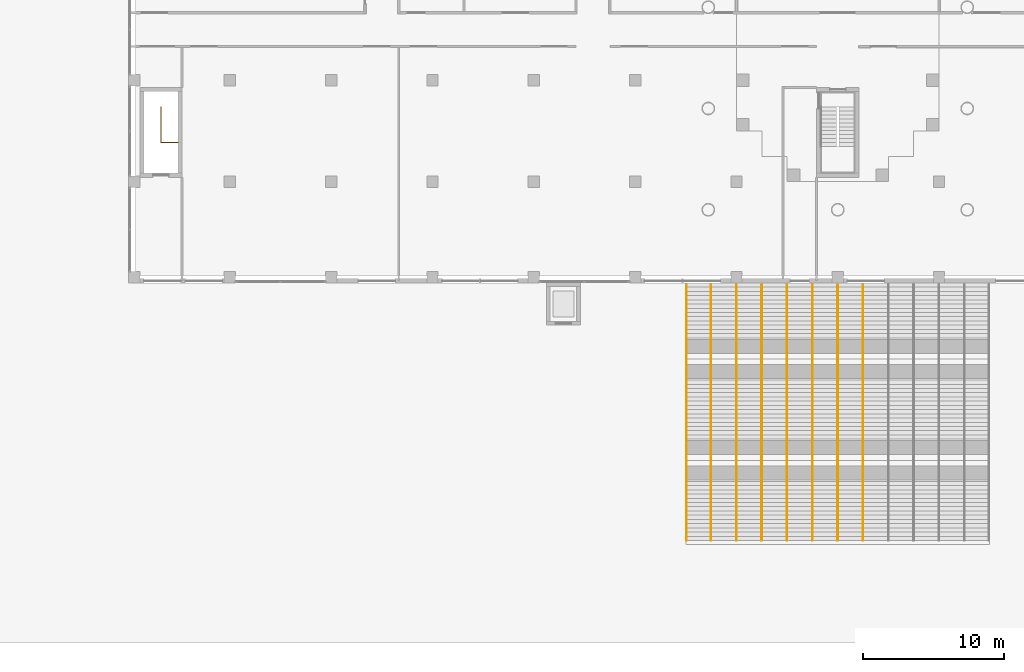
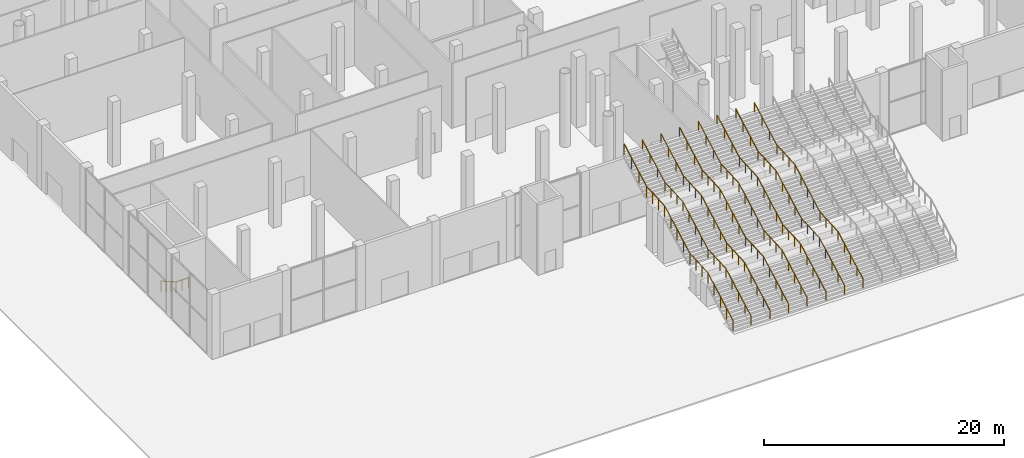
# One storey, part 35 of 44: 9 railings.
"""IFC4 building model written with IfcOpenShell, lengths in metres."""

from ifc_helpers import new_model, si_unit, direction, frame, origin, origin_2d, place, context, subcontext, project, spatial, circle, extrude, material, type_object, element, save


model = new_model("IFC4")

# Units and contexts
model_context = context("Model", 3, precision=1e-05, world=origin(), true_north=direction((0.0, 1.0)))
body_context = subcontext(model_context, "Body", "Model", "MODEL_VIEW")
ifc_project = project(units=[si_unit("LENGTHUNIT", "METRE"), si_unit("AREAUNIT", "SQUARE_METRE"), si_unit("VOLUMEUNIT", "CUBIC_METRE"), si_unit("PLANEANGLEUNIT", "RADIAN"), si_unit("MASSUNIT", "GRAM", prefix="KILO")], contexts=[model_context])

# Site, building, storey
site_placement = place(None, origin())
site = spatial("IfcSite", under=ifc_project, at=site_placement, CompositionType="ELEMENT")
building_placement = place(site_placement, origin())
building = spatial("IfcBuilding", under=site, at=building_placement, Name="Fustian Cross Tower", CompositionType="ELEMENT")
storey_placement = place(building_placement, origin())
storey = spatial("IfcBuildingStorey", under=building, at=storey_placement, Name="L00", CompositionType="ELEMENT", Elevation=0.0)

# Railings
ifc_material_1 = material(Name="Stainless steel", Category="steel")
railing_type_1 = type_object("IfcRailingType", Name="STAIR GUARD", PredefinedType="GUARDRAIL", material=ifc_material_1)
railing_1_placement = place(storey_placement, frame((-48.10009765625, -37.89990234375, -1.43994140625)))
element("IfcRailing", 1, at=railing_1_placement, inside=storey, type_object=railing_type_1, Name="Stair ST13 guard", PredefinedType="GUARDRAIL", context=body_context, shape_type="SweptSolid", body=[
    extrude(circle(Radius=0.02490234375, at=origin_2d()), frame((0.0, 0.0, 1.0751953125), z_axis=(0.0, -0.868253494771, 0.496120820787), x_axis=(1.0, 0.0, 0.0)), (0.0, 0.0, 1.0), 2.90234375),
    extrude(circle(Radius=0.02490234375, at=origin_2d()), frame((0.0, -2.52001953125, 2.51513671875), z_axis=(1.0, 0.0, 0.0), x_axis=(0.0, 1.0, 0.0)), (0.0, 0.0, 1.0), 1.2001953125),
    extrude(circle(Radius=0.02001953125, at=origin_2d()), origin(), (0.0, 0.0, 1.0), 1.050048828125),
    extrude(circle(Radius=0.02001953125, at=origin_2d()), frame((0.0, -0.840087890625, 0.47998046875)), (0.0, 0.0, 1.0), 1.050048828125),
    extrude(circle(Radius=0.02001953125, at=origin_2d()), frame((0.0, -1.679931640625, 0.9599609375)), (0.0, 0.0, 1.0), 1.050048828125),
    extrude(circle(Radius=0.02001953125, at=origin_2d()), frame((0.0, -2.52001953125, 1.43994140625)), (0.0, 0.0, 1.0), 1.050048828125),
    extrude(circle(Radius=0.02001953125, at=origin_2d()), frame((0.60009765625, -2.52001953125, 1.43994140625)), (0.0, 0.0, 1.0), 1.050048828125),
    extrude(circle(Radius=0.02001953125, at=origin_2d()), frame((1.2001953125, -2.52001953125, 1.43994140625)), (0.0, 0.0, 1.0), 1.050048828125),
])
ifc_material_2 = material(Name="Steel S355", Category="steel")
railing_type_2 = type_object("IfcRailingType", Name="STEEL GUARD 1100", PredefinedType="GUARDRAIL", material=ifc_material_2)
railing_2_placement = place(storey_placement, frame((-10.75, -68.699951171875, 0.16357421875)))
element("IfcRailing", 2, at=railing_2_placement, inside=storey, type_object=railing_type_2, Name="Stair guard G1", PredefinedType="GUARDRAIL", context=body_context, shape_type="SweptSolid", body=[
    extrude(circle(Radius=0.02392578125, at=origin_2d()), frame((0.0, 0.0, 1.076171875), z_axis=(0.0, 0.877883871309, 0.478873583001), x_axis=(-1.0, 0.0, 0.0)), (0.0, 0.0, 1.0), 4.7841796875),
    extrude(circle(Radius=0.02392578125, at=origin_2d()), frame((0.0, 4.199951171875, 3.3671875), z_axis=(0.0, 0.998516832602, 0.054443870267), x_axis=(-1.0, 0.0, 0.0)), (0.0, 0.0, 1.0), 3.00439453125),
    extrude(circle(Radius=0.02392578125, at=origin_2d()), frame((0.0, 7.199951171875, 3.53076171875), z_axis=(0.0, 0.877883871309, 0.478873583001), x_axis=(-1.0, 0.0, 0.0)), (0.0, 0.0, 1.0), 4.7841796875),
    extrude(circle(Radius=0.02392578125, at=origin_2d()), frame((0.0, 11.39990234375, 5.82177734375), z_axis=(0.0, 0.998516832602, 0.054443870267), x_axis=(-1.0, 0.0, 0.0)), (0.0, 0.0, 1.0), 3.00439453125),
    extrude(circle(Radius=0.02392578125, at=origin_2d()), frame((0.0, 14.39990234375, 5.9853515625), z_axis=(0.0, 0.877899941409, 0.478844121688), x_axis=(-1.0, 0.0, 0.0)), (0.0, 0.0, 1.0), 4.271484375),
    extrude(circle(Radius=0.02099609375, at=origin_2d()), origin(), (0.0, 0.0, 1.0), 1.052001953125),
    extrude(circle(Radius=0.02099609375, at=origin_2d()), frame((0.0, 1.050048828125, 0.57275390625)), (0.0, 0.0, 1.0), 1.052001953125),
    extrude(circle(Radius=0.02099609375, at=origin_2d()), frame((0.0, 2.10009765625, 1.1455078125)), (0.0, 0.0, 1.0), 1.052001953125),
    extrude(circle(Radius=0.02099609375, at=origin_2d()), frame((0.0, 3.14990234375, 1.71826171875)), (0.0, 0.0, 1.0), 1.052001953125),
    extrude(circle(Radius=0.02099609375, at=origin_2d()), frame((0.0, 4.199951171875, 2.291015625)), (0.0, 0.0, 1.0), 1.052001953125),
    extrude(circle(Radius=0.02099609375, at=origin_2d()), frame((0.0, 5.199951171875, 2.345458984375)), (0.0, 0.0, 1.0), 1.052001953125),
    extrude(circle(Radius=0.02099609375, at=origin_2d()), frame((0.0, 6.199951171875, 2.400146484375)), (0.0, 0.0, 1.0), 1.052001953125),
    extrude(circle(Radius=0.02099609375, at=origin_2d()), frame((0.0, 7.199951171875, 2.45458984375)), (0.0, 0.0, 1.0), 1.052001953125),
    extrude(circle(Radius=0.02099609375, at=origin_2d()), frame((0.0, 8.25, 3.02734375)), (0.0, 0.0, 1.0), 1.052001953125),
    extrude(circle(Radius=0.02099609375, at=origin_2d()), frame((0.0, 9.2998046875, 3.60009765625)), (0.0, 0.0, 1.0), 1.052001953125),
    extrude(circle(Radius=0.02099609375, at=origin_2d()), frame((0.0, 10.349853515625, 4.1728515625)), (0.0, 0.0, 1.0), 1.052001953125),
    extrude(circle(Radius=0.02099609375, at=origin_2d()), frame((0.0, 11.39990234375, 4.74560546875)), (0.0, 0.0, 1.0), 1.052001953125),
    extrude(circle(Radius=0.02099609375, at=origin_2d()), frame((0.0, 12.39990234375, 4.800048828125)), (0.0, 0.0, 1.0), 1.052001953125),
    extrude(circle(Radius=0.02099609375, at=origin_2d()), frame((0.0, 13.39990234375, 4.854736328125)), (0.0, 0.0, 1.0), 1.052001953125),
    extrude(circle(Radius=0.02099609375, at=origin_2d()), frame((0.0, 14.39990234375, 4.9091796875)), (0.0, 0.0, 1.0), 1.052001953125),
    extrude(circle(Radius=0.02099609375, at=origin_2d()), frame((0.0, 15.64990234375, 5.591064453125)), (0.0, 0.0, 1.0), 1.052001953125),
    extrude(circle(Radius=0.02099609375, at=origin_2d()), frame((0.0, 16.89990234375, 6.272705078125)), (0.0, 0.0, 1.0), 1.052001953125),
    extrude(circle(Radius=0.02099609375, at=origin_2d()), frame((0.0, 18.14990234375, 6.95458984375)), (0.0, 0.0, 1.0), 1.052001953125),
])
ifc_material_3 = material(Name="Steel S355", Category="steel")
railing_type_3 = type_object("IfcRailingType", Name="STEEL HANDRAIL 900", PredefinedType="HANDRAIL", material=ifc_material_3)
railing_3_placement = place(storey_placement, frame((-9.0, -68.699951171875, 0.16357421875)))
element("IfcRailing", 3, at=railing_3_placement, inside=storey, type_object=railing_type_3, Name="Stair handrail H1", PredefinedType="HANDRAIL", context=body_context, shape_type="SweptSolid", body=[
    extrude(circle(Radius=0.02392578125, at=origin_2d()), frame((0.0, 0.0, 0.8759765625), z_axis=(0.0, 0.877883871309, 0.478873583001), x_axis=(-1.0, 0.0, 0.0)), (0.0, 0.0, 1.0), 4.7841796875),
    extrude(circle(Radius=0.02392578125, at=origin_2d()), frame((0.0, 4.199951171875, 3.1669921875), z_axis=(0.0, 0.998516832602, 0.054443870267), x_axis=(-1.0, 0.0, 0.0)), (0.0, 0.0, 1.0), 3.00439453125),
    extrude(circle(Radius=0.02392578125, at=origin_2d()), frame((0.0, 7.199951171875, 3.33056640625), z_axis=(0.0, 0.877883871309, 0.478873583001), x_axis=(-1.0, 0.0, 0.0)), (0.0, 0.0, 1.0), 4.7841796875),
    extrude(circle(Radius=0.02392578125, at=origin_2d()), frame((0.0, 11.39990234375, 5.62158203125), z_axis=(0.0, 0.998516832602, 0.054443870267), x_axis=(-1.0, 0.0, 0.0)), (0.0, 0.0, 1.0), 3.00439453125),
    extrude(circle(Radius=0.02392578125, at=origin_2d()), frame((0.0, 14.39990234375, 5.78515625), z_axis=(0.0, 0.877899941409, 0.478844121688), x_axis=(-1.0, 0.0, 0.0)), (0.0, 0.0, 1.0), 4.271484375),
    extrude(circle(Radius=0.02099609375, at=origin_2d()), origin(), (0.0, 0.0, 1.0), 0.851806640625),
    extrude(circle(Radius=0.02099609375, at=origin_2d()), frame((0.0, 1.050048828125, 0.57275390625)), (0.0, 0.0, 1.0), 0.851806640625),
    extrude(circle(Radius=0.02099609375, at=origin_2d()), frame((0.0, 2.10009765625, 1.1455078125)), (0.0, 0.0, 1.0), 0.851806640625),
    extrude(circle(Radius=0.02099609375, at=origin_2d()), frame((0.0, 3.14990234375, 1.71826171875)), (0.0, 0.0, 1.0), 0.851806640625),
    extrude(circle(Radius=0.02099609375, at=origin_2d()), frame((0.0, 4.199951171875, 2.291015625)), (0.0, 0.0, 1.0), 0.851806640625),
    extrude(circle(Radius=0.02099609375, at=origin_2d()), frame((0.0, 5.199951171875, 2.345458984375)), (0.0, 0.0, 1.0), 0.851806640625),
    extrude(circle(Radius=0.02099609375, at=origin_2d()), frame((0.0, 6.199951171875, 2.400146484375)), (0.0, 0.0, 1.0), 0.851806640625),
    extrude(circle(Radius=0.02099609375, at=origin_2d()), frame((0.0, 7.199951171875, 2.45458984375)), (0.0, 0.0, 1.0), 0.851806640625),
    extrude(circle(Radius=0.02099609375, at=origin_2d()), frame((0.0, 8.25, 3.02734375)), (0.0, 0.0, 1.0), 0.851806640625),
    extrude(circle(Radius=0.02099609375, at=origin_2d()), frame((0.0, 9.2998046875, 3.60009765625)), (0.0, 0.0, 1.0), 0.851806640625),
    extrude(circle(Radius=0.02099609375, at=origin_2d()), frame((0.0, 10.349853515625, 4.1728515625)), (0.0, 0.0, 1.0), 0.851806640625),
    extrude(circle(Radius=0.02099609375, at=origin_2d()), frame((0.0, 11.39990234375, 4.74560546875)), (0.0, 0.0, 1.0), 0.851806640625),
    extrude(circle(Radius=0.02099609375, at=origin_2d()), frame((0.0, 12.39990234375, 4.800048828125)), (0.0, 0.0, 1.0), 0.851806640625),
    extrude(circle(Radius=0.02099609375, at=origin_2d()), frame((0.0, 13.39990234375, 4.854736328125)), (0.0, 0.0, 1.0), 0.851806640625),
    extrude(circle(Radius=0.02099609375, at=origin_2d()), frame((0.0, 14.39990234375, 4.9091796875)), (0.0, 0.0, 1.0), 0.851806640625),
    extrude(circle(Radius=0.02099609375, at=origin_2d()), frame((0.0, 15.64990234375, 5.591064453125)), (0.0, 0.0, 1.0), 0.851806640625),
    extrude(circle(Radius=0.02099609375, at=origin_2d()), frame((0.0, 16.89990234375, 6.272705078125)), (0.0, 0.0, 1.0), 0.851806640625),
    extrude(circle(Radius=0.02099609375, at=origin_2d()), frame((0.0, 18.14990234375, 6.95458984375)), (0.0, 0.0, 1.0), 0.851806640625),
])
railing_4_placement = place(storey_placement, frame((-7.199951171875, -68.699951171875, 0.16357421875)))
element("IfcRailing", 4, at=railing_4_placement, inside=storey, type_object=railing_type_3, Name="Stair handrail H2", PredefinedType="HANDRAIL", context=body_context, shape_type="SweptSolid", body=[
    extrude(circle(Radius=0.02392578125, at=origin_2d()), frame((0.0, 0.0, 0.8759765625), z_axis=(0.0, 0.877883871309, 0.478873583001), x_axis=(-1.0, 0.0, 0.0)), (0.0, 0.0, 1.0), 4.7841796875),
    extrude(circle(Radius=0.02392578125, at=origin_2d()), frame((0.0, 4.199951171875, 3.1669921875), z_axis=(0.0, 0.998516832602, 0.054443870267), x_axis=(-1.0, 0.0, 0.0)), (0.0, 0.0, 1.0), 3.00439453125),
    extrude(circle(Radius=0.02392578125, at=origin_2d()), frame((0.0, 7.199951171875, 3.33056640625), z_axis=(0.0, 0.877883871309, 0.478873583001), x_axis=(-1.0, 0.0, 0.0)), (0.0, 0.0, 1.0), 4.7841796875),
    extrude(circle(Radius=0.02392578125, at=origin_2d()), frame((0.0, 11.39990234375, 5.62158203125), z_axis=(0.0, 0.998516832602, 0.054443870267), x_axis=(-1.0, 0.0, 0.0)), (0.0, 0.0, 1.0), 3.00439453125),
    extrude(circle(Radius=0.02392578125, at=origin_2d()), frame((0.0, 14.39990234375, 5.78515625), z_axis=(0.0, 0.877899941409, 0.478844121688), x_axis=(-1.0, 0.0, 0.0)), (0.0, 0.0, 1.0), 4.271484375),
    extrude(circle(Radius=0.02099609375, at=origin_2d()), origin(), (0.0, 0.0, 1.0), 0.851806640625),
    extrude(circle(Radius=0.02099609375, at=origin_2d()), frame((0.0, 1.050048828125, 0.57275390625)), (0.0, 0.0, 1.0), 0.851806640625),
    extrude(circle(Radius=0.02099609375, at=origin_2d()), frame((0.0, 2.10009765625, 1.1455078125)), (0.0, 0.0, 1.0), 0.851806640625),
    extrude(circle(Radius=0.02099609375, at=origin_2d()), frame((0.0, 3.14990234375, 1.71826171875)), (0.0, 0.0, 1.0), 0.851806640625),
    extrude(circle(Radius=0.02099609375, at=origin_2d()), frame((0.0, 4.199951171875, 2.291015625)), (0.0, 0.0, 1.0), 0.851806640625),
    extrude(circle(Radius=0.02099609375, at=origin_2d()), frame((0.0, 5.199951171875, 2.345458984375)), (0.0, 0.0, 1.0), 0.851806640625),
    extrude(circle(Radius=0.02099609375, at=origin_2d()), frame((0.0, 6.199951171875, 2.400146484375)), (0.0, 0.0, 1.0), 0.851806640625),
    extrude(circle(Radius=0.02099609375, at=origin_2d()), frame((0.0, 7.199951171875, 2.45458984375)), (0.0, 0.0, 1.0), 0.851806640625),
    extrude(circle(Radius=0.02099609375, at=origin_2d()), frame((0.0, 8.25, 3.02734375)), (0.0, 0.0, 1.0), 0.851806640625),
    extrude(circle(Radius=0.02099609375, at=origin_2d()), frame((0.0, 9.2998046875, 3.60009765625)), (0.0, 0.0, 1.0), 0.851806640625),
    extrude(circle(Radius=0.02099609375, at=origin_2d()), frame((0.0, 10.349853515625, 4.1728515625)), (0.0, 0.0, 1.0), 0.851806640625),
    extrude(circle(Radius=0.02099609375, at=origin_2d()), frame((0.0, 11.39990234375, 4.74560546875)), (0.0, 0.0, 1.0), 0.851806640625),
    extrude(circle(Radius=0.02099609375, at=origin_2d()), frame((0.0, 12.39990234375, 4.800048828125)), (0.0, 0.0, 1.0), 0.851806640625),
    extrude(circle(Radius=0.02099609375, at=origin_2d()), frame((0.0, 13.39990234375, 4.854736328125)), (0.0, 0.0, 1.0), 0.851806640625),
    extrude(circle(Radius=0.02099609375, at=origin_2d()), frame((0.0, 14.39990234375, 4.9091796875)), (0.0, 0.0, 1.0), 0.851806640625),
    extrude(circle(Radius=0.02099609375, at=origin_2d()), frame((0.0, 15.64990234375, 5.591064453125)), (0.0, 0.0, 1.0), 0.851806640625),
    extrude(circle(Radius=0.02099609375, at=origin_2d()), frame((0.0, 16.89990234375, 6.272705078125)), (0.0, 0.0, 1.0), 0.851806640625),
    extrude(circle(Radius=0.02099609375, at=origin_2d()), frame((0.0, 18.14990234375, 6.95458984375)), (0.0, 0.0, 1.0), 0.851806640625),
])
railing_5_placement = place(storey_placement, frame((-5.39990234375, -68.699951171875, 0.16357421875)))
element("IfcRailing", 5, at=railing_5_placement, inside=storey, type_object=railing_type_3, Name="Stair handrail H3", PredefinedType="HANDRAIL", context=body_context, shape_type="SweptSolid", body=[
    extrude(circle(Radius=0.02392578125, at=origin_2d()), frame((0.0, 0.0, 0.8759765625), z_axis=(0.0, 0.877883871309, 0.478873583001), x_axis=(-1.0, 0.0, 0.0)), (0.0, 0.0, 1.0), 4.7841796875),
    extrude(circle(Radius=0.02392578125, at=origin_2d()), frame((0.0, 4.199951171875, 3.1669921875), z_axis=(0.0, 0.998516832602, 0.054443870267), x_axis=(-1.0, 0.0, 0.0)), (0.0, 0.0, 1.0), 3.00439453125),
    extrude(circle(Radius=0.02392578125, at=origin_2d()), frame((0.0, 7.199951171875, 3.33056640625), z_axis=(0.0, 0.877883871309, 0.478873583001), x_axis=(-1.0, 0.0, 0.0)), (0.0, 0.0, 1.0), 4.7841796875),
    extrude(circle(Radius=0.02392578125, at=origin_2d()), frame((0.0, 11.39990234375, 5.62158203125), z_axis=(0.0, 0.998516832602, 0.054443870267), x_axis=(-1.0, 0.0, 0.0)), (0.0, 0.0, 1.0), 3.00439453125),
    extrude(circle(Radius=0.02392578125, at=origin_2d()), frame((0.0, 14.39990234375, 5.78515625), z_axis=(0.0, 0.877899941409, 0.478844121688), x_axis=(-1.0, 0.0, 0.0)), (0.0, 0.0, 1.0), 4.271484375),
    extrude(circle(Radius=0.02099609375, at=origin_2d()), origin(), (0.0, 0.0, 1.0), 0.851806640625),
    extrude(circle(Radius=0.02099609375, at=origin_2d()), frame((0.0, 1.050048828125, 0.57275390625)), (0.0, 0.0, 1.0), 0.851806640625),
    extrude(circle(Radius=0.02099609375, at=origin_2d()), frame((0.0, 2.10009765625, 1.1455078125)), (0.0, 0.0, 1.0), 0.851806640625),
    extrude(circle(Radius=0.02099609375, at=origin_2d()), frame((0.0, 3.14990234375, 1.71826171875)), (0.0, 0.0, 1.0), 0.851806640625),
    extrude(circle(Radius=0.02099609375, at=origin_2d()), frame((0.0, 4.199951171875, 2.291015625)), (0.0, 0.0, 1.0), 0.851806640625),
    extrude(circle(Radius=0.02099609375, at=origin_2d()), frame((0.0, 5.199951171875, 2.345458984375)), (0.0, 0.0, 1.0), 0.851806640625),
    extrude(circle(Radius=0.02099609375, at=origin_2d()), frame((0.0, 6.199951171875, 2.400146484375)), (0.0, 0.0, 1.0), 0.851806640625),
    extrude(circle(Radius=0.02099609375, at=origin_2d()), frame((0.0, 7.199951171875, 2.45458984375)), (0.0, 0.0, 1.0), 0.851806640625),
    extrude(circle(Radius=0.02099609375, at=origin_2d()), frame((0.0, 8.25, 3.02734375)), (0.0, 0.0, 1.0), 0.851806640625),
    extrude(circle(Radius=0.02099609375, at=origin_2d()), frame((0.0, 9.2998046875, 3.60009765625)), (0.0, 0.0, 1.0), 0.851806640625),
    extrude(circle(Radius=0.02099609375, at=origin_2d()), frame((0.0, 10.349853515625, 4.1728515625)), (0.0, 0.0, 1.0), 0.851806640625),
    extrude(circle(Radius=0.02099609375, at=origin_2d()), frame((0.0, 11.39990234375, 4.74560546875)), (0.0, 0.0, 1.0), 0.851806640625),
    extrude(circle(Radius=0.02099609375, at=origin_2d()), frame((0.0, 12.39990234375, 4.800048828125)), (0.0, 0.0, 1.0), 0.851806640625),
    extrude(circle(Radius=0.02099609375, at=origin_2d()), frame((0.0, 13.39990234375, 4.854736328125)), (0.0, 0.0, 1.0), 0.851806640625),
    extrude(circle(Radius=0.02099609375, at=origin_2d()), frame((0.0, 14.39990234375, 4.9091796875)), (0.0, 0.0, 1.0), 0.851806640625),
    extrude(circle(Radius=0.02099609375, at=origin_2d()), frame((0.0, 15.64990234375, 5.591064453125)), (0.0, 0.0, 1.0), 0.851806640625),
    extrude(circle(Radius=0.02099609375, at=origin_2d()), frame((0.0, 16.89990234375, 6.272705078125)), (0.0, 0.0, 1.0), 0.851806640625),
    extrude(circle(Radius=0.02099609375, at=origin_2d()), frame((0.0, 18.14990234375, 6.95458984375)), (0.0, 0.0, 1.0), 0.851806640625),
])
railing_6_placement = place(storey_placement, frame((-3.60009765625, -68.699951171875, 0.16357421875)))
element("IfcRailing", 6, at=railing_6_placement, inside=storey, type_object=railing_type_3, Name="Stair handrail H4", PredefinedType="HANDRAIL", context=body_context, shape_type="SweptSolid", body=[
    extrude(circle(Radius=0.02392578125, at=origin_2d()), frame((0.0, 0.0, 0.8759765625), z_axis=(0.0, 0.877883871309, 0.478873583001), x_axis=(-1.0, 0.0, 0.0)), (0.0, 0.0, 1.0), 4.7841796875),
    extrude(circle(Radius=0.02392578125, at=origin_2d()), frame((0.0, 4.199951171875, 3.1669921875), z_axis=(0.0, 0.998516832602, 0.054443870267), x_axis=(-1.0, 0.0, 0.0)), (0.0, 0.0, 1.0), 3.00439453125),
    extrude(circle(Radius=0.02392578125, at=origin_2d()), frame((0.0, 7.199951171875, 3.33056640625), z_axis=(0.0, 0.877883871309, 0.478873583001), x_axis=(-1.0, 0.0, 0.0)), (0.0, 0.0, 1.0), 4.7841796875),
    extrude(circle(Radius=0.02392578125, at=origin_2d()), frame((0.0, 11.39990234375, 5.62158203125), z_axis=(0.0, 0.998516832602, 0.054443870267), x_axis=(-1.0, 0.0, 0.0)), (0.0, 0.0, 1.0), 3.00439453125),
    extrude(circle(Radius=0.02392578125, at=origin_2d()), frame((0.0, 14.39990234375, 5.78515625), z_axis=(0.0, 0.877899941409, 0.478844121688), x_axis=(-1.0, 0.0, 0.0)), (0.0, 0.0, 1.0), 4.271484375),
    extrude(circle(Radius=0.02099609375, at=origin_2d()), origin(), (0.0, 0.0, 1.0), 0.851806640625),
    extrude(circle(Radius=0.02099609375, at=origin_2d()), frame((0.0, 1.050048828125, 0.57275390625)), (0.0, 0.0, 1.0), 0.851806640625),
    extrude(circle(Radius=0.02099609375, at=origin_2d()), frame((0.0, 2.10009765625, 1.1455078125)), (0.0, 0.0, 1.0), 0.851806640625),
    extrude(circle(Radius=0.02099609375, at=origin_2d()), frame((0.0, 3.14990234375, 1.71826171875)), (0.0, 0.0, 1.0), 0.851806640625),
    extrude(circle(Radius=0.02099609375, at=origin_2d()), frame((0.0, 4.199951171875, 2.291015625)), (0.0, 0.0, 1.0), 0.851806640625),
    extrude(circle(Radius=0.02099609375, at=origin_2d()), frame((0.0, 5.199951171875, 2.345458984375)), (0.0, 0.0, 1.0), 0.851806640625),
    extrude(circle(Radius=0.02099609375, at=origin_2d()), frame((0.0, 6.199951171875, 2.400146484375)), (0.0, 0.0, 1.0), 0.851806640625),
    extrude(circle(Radius=0.02099609375, at=origin_2d()), frame((0.0, 7.199951171875, 2.45458984375)), (0.0, 0.0, 1.0), 0.851806640625),
    extrude(circle(Radius=0.02099609375, at=origin_2d()), frame((0.0, 8.25, 3.02734375)), (0.0, 0.0, 1.0), 0.851806640625),
    extrude(circle(Radius=0.02099609375, at=origin_2d()), frame((0.0, 9.2998046875, 3.60009765625)), (0.0, 0.0, 1.0), 0.851806640625),
    extrude(circle(Radius=0.02099609375, at=origin_2d()), frame((0.0, 10.349853515625, 4.1728515625)), (0.0, 0.0, 1.0), 0.851806640625),
    extrude(circle(Radius=0.02099609375, at=origin_2d()), frame((0.0, 11.39990234375, 4.74560546875)), (0.0, 0.0, 1.0), 0.851806640625),
    extrude(circle(Radius=0.02099609375, at=origin_2d()), frame((0.0, 12.39990234375, 4.800048828125)), (0.0, 0.0, 1.0), 0.851806640625),
    extrude(circle(Radius=0.02099609375, at=origin_2d()), frame((0.0, 13.39990234375, 4.854736328125)), (0.0, 0.0, 1.0), 0.851806640625),
    extrude(circle(Radius=0.02099609375, at=origin_2d()), frame((0.0, 14.39990234375, 4.9091796875)), (0.0, 0.0, 1.0), 0.851806640625),
    extrude(circle(Radius=0.02099609375, at=origin_2d()), frame((0.0, 15.64990234375, 5.591064453125)), (0.0, 0.0, 1.0), 0.851806640625),
    extrude(circle(Radius=0.02099609375, at=origin_2d()), frame((0.0, 16.89990234375, 6.272705078125)), (0.0, 0.0, 1.0), 0.851806640625),
    extrude(circle(Radius=0.02099609375, at=origin_2d()), frame((0.0, 18.14990234375, 6.95458984375)), (0.0, 0.0, 1.0), 0.851806640625),
])
railing_7_placement = place(storey_placement, frame((-1.800048828125, -68.699951171875, 0.16357421875)))
element("IfcRailing", 7, at=railing_7_placement, inside=storey, type_object=railing_type_3, Name="Stair handrail H5", PredefinedType="HANDRAIL", context=body_context, shape_type="SweptSolid", body=[
    extrude(circle(Radius=0.02392578125, at=origin_2d()), frame((0.0, 0.0, 0.8759765625), z_axis=(0.0, 0.877883871309, 0.478873583001), x_axis=(-1.0, 0.0, 0.0)), (0.0, 0.0, 1.0), 4.7841796875),
    extrude(circle(Radius=0.02392578125, at=origin_2d()), frame((0.0, 4.199951171875, 3.1669921875), z_axis=(0.0, 0.998516832602, 0.054443870267), x_axis=(-1.0, 0.0, 0.0)), (0.0, 0.0, 1.0), 3.00439453125),
    extrude(circle(Radius=0.02392578125, at=origin_2d()), frame((0.0, 7.199951171875, 3.33056640625), z_axis=(0.0, 0.877883871309, 0.478873583001), x_axis=(-1.0, 0.0, 0.0)), (0.0, 0.0, 1.0), 4.7841796875),
    extrude(circle(Radius=0.02392578125, at=origin_2d()), frame((0.0, 11.39990234375, 5.62158203125), z_axis=(0.0, 0.998516832602, 0.054443870267), x_axis=(-1.0, 0.0, 0.0)), (0.0, 0.0, 1.0), 3.00439453125),
    extrude(circle(Radius=0.02392578125, at=origin_2d()), frame((0.0, 14.39990234375, 5.78515625), z_axis=(0.0, 0.877899941409, 0.478844121688), x_axis=(-1.0, 0.0, 0.0)), (0.0, 0.0, 1.0), 4.271484375),
    extrude(circle(Radius=0.02099609375, at=origin_2d()), origin(), (0.0, 0.0, 1.0), 0.851806640625),
    extrude(circle(Radius=0.02099609375, at=origin_2d()), frame((0.0, 1.050048828125, 0.57275390625)), (0.0, 0.0, 1.0), 0.851806640625),
    extrude(circle(Radius=0.02099609375, at=origin_2d()), frame((0.0, 2.10009765625, 1.1455078125)), (0.0, 0.0, 1.0), 0.851806640625),
    extrude(circle(Radius=0.02099609375, at=origin_2d()), frame((0.0, 3.14990234375, 1.71826171875)), (0.0, 0.0, 1.0), 0.851806640625),
    extrude(circle(Radius=0.02099609375, at=origin_2d()), frame((0.0, 4.199951171875, 2.291015625)), (0.0, 0.0, 1.0), 0.851806640625),
    extrude(circle(Radius=0.02099609375, at=origin_2d()), frame((0.0, 5.199951171875, 2.345458984375)), (0.0, 0.0, 1.0), 0.851806640625),
    extrude(circle(Radius=0.02099609375, at=origin_2d()), frame((0.0, 6.199951171875, 2.400146484375)), (0.0, 0.0, 1.0), 0.851806640625),
    extrude(circle(Radius=0.02099609375, at=origin_2d()), frame((0.0, 7.199951171875, 2.45458984375)), (0.0, 0.0, 1.0), 0.851806640625),
    extrude(circle(Radius=0.02099609375, at=origin_2d()), frame((0.0, 8.25, 3.02734375)), (0.0, 0.0, 1.0), 0.851806640625),
    extrude(circle(Radius=0.02099609375, at=origin_2d()), frame((0.0, 9.2998046875, 3.60009765625)), (0.0, 0.0, 1.0), 0.851806640625),
    extrude(circle(Radius=0.02099609375, at=origin_2d()), frame((0.0, 10.349853515625, 4.1728515625)), (0.0, 0.0, 1.0), 0.851806640625),
    extrude(circle(Radius=0.02099609375, at=origin_2d()), frame((0.0, 11.39990234375, 4.74560546875)), (0.0, 0.0, 1.0), 0.851806640625),
    extrude(circle(Radius=0.02099609375, at=origin_2d()), frame((0.0, 12.39990234375, 4.800048828125)), (0.0, 0.0, 1.0), 0.851806640625),
    extrude(circle(Radius=0.02099609375, at=origin_2d()), frame((0.0, 13.39990234375, 4.854736328125)), (0.0, 0.0, 1.0), 0.851806640625),
    extrude(circle(Radius=0.02099609375, at=origin_2d()), frame((0.0, 14.39990234375, 4.9091796875)), (0.0, 0.0, 1.0), 0.851806640625),
    extrude(circle(Radius=0.02099609375, at=origin_2d()), frame((0.0, 15.64990234375, 5.591064453125)), (0.0, 0.0, 1.0), 0.851806640625),
    extrude(circle(Radius=0.02099609375, at=origin_2d()), frame((0.0, 16.89990234375, 6.272705078125)), (0.0, 0.0, 1.0), 0.851806640625),
    extrude(circle(Radius=0.02099609375, at=origin_2d()), frame((0.0, 18.14990234375, 6.95458984375)), (0.0, 0.0, 1.0), 0.851806640625),
])
railing_8_placement = place(storey_placement, frame((0.0, -68.699951171875, 0.16357421875)))
element("IfcRailing", 8, at=railing_8_placement, inside=storey, type_object=railing_type_3, Name="Stair handrail H6", PredefinedType="HANDRAIL", context=body_context, shape_type="SweptSolid", body=[
    extrude(circle(Radius=0.02392578125, at=origin_2d()), frame((0.0, 0.0, 0.8759765625), z_axis=(0.0, 0.877883871309, 0.478873583001), x_axis=(-1.0, 0.0, 0.0)), (0.0, 0.0, 1.0), 4.7841796875),
    extrude(circle(Radius=0.02392578125, at=origin_2d()), frame((0.0, 4.199951171875, 3.1669921875), z_axis=(0.0, 0.998516832602, 0.054443870267), x_axis=(-1.0, 0.0, 0.0)), (0.0, 0.0, 1.0), 3.00439453125),
    extrude(circle(Radius=0.02392578125, at=origin_2d()), frame((0.0, 7.199951171875, 3.33056640625), z_axis=(0.0, 0.877883871309, 0.478873583001), x_axis=(-1.0, 0.0, 0.0)), (0.0, 0.0, 1.0), 4.7841796875),
    extrude(circle(Radius=0.02392578125, at=origin_2d()), frame((0.0, 11.39990234375, 5.62158203125), z_axis=(0.0, 0.998516832602, 0.054443870267), x_axis=(-1.0, 0.0, 0.0)), (0.0, 0.0, 1.0), 3.00439453125),
    extrude(circle(Radius=0.02392578125, at=origin_2d()), frame((0.0, 14.39990234375, 5.78515625), z_axis=(0.0, 0.877899941409, 0.478844121688), x_axis=(-1.0, 0.0, 0.0)), (0.0, 0.0, 1.0), 4.271484375),
    extrude(circle(Radius=0.02099609375, at=origin_2d()), origin(), (0.0, 0.0, 1.0), 0.851806640625),
    extrude(circle(Radius=0.02099609375, at=origin_2d()), frame((0.0, 1.050048828125, 0.57275390625)), (0.0, 0.0, 1.0), 0.851806640625),
    extrude(circle(Radius=0.02099609375, at=origin_2d()), frame((0.0, 2.10009765625, 1.1455078125)), (0.0, 0.0, 1.0), 0.851806640625),
    extrude(circle(Radius=0.02099609375, at=origin_2d()), frame((0.0, 3.14990234375, 1.71826171875)), (0.0, 0.0, 1.0), 0.851806640625),
    extrude(circle(Radius=0.02099609375, at=origin_2d()), frame((0.0, 4.199951171875, 2.291015625)), (0.0, 0.0, 1.0), 0.851806640625),
    extrude(circle(Radius=0.02099609375, at=origin_2d()), frame((0.0, 5.199951171875, 2.345458984375)), (0.0, 0.0, 1.0), 0.851806640625),
    extrude(circle(Radius=0.02099609375, at=origin_2d()), frame((0.0, 6.199951171875, 2.400146484375)), (0.0, 0.0, 1.0), 0.851806640625),
    extrude(circle(Radius=0.02099609375, at=origin_2d()), frame((0.0, 7.199951171875, 2.45458984375)), (0.0, 0.0, 1.0), 0.851806640625),
    extrude(circle(Radius=0.02099609375, at=origin_2d()), frame((0.0, 8.25, 3.02734375)), (0.0, 0.0, 1.0), 0.851806640625),
    extrude(circle(Radius=0.02099609375, at=origin_2d()), frame((0.0, 9.2998046875, 3.60009765625)), (0.0, 0.0, 1.0), 0.851806640625),
    extrude(circle(Radius=0.02099609375, at=origin_2d()), frame((0.0, 10.349853515625, 4.1728515625)), (0.0, 0.0, 1.0), 0.851806640625),
    extrude(circle(Radius=0.02099609375, at=origin_2d()), frame((0.0, 11.39990234375, 4.74560546875)), (0.0, 0.0, 1.0), 0.851806640625),
    extrude(circle(Radius=0.02099609375, at=origin_2d()), frame((0.0, 12.39990234375, 4.800048828125)), (0.0, 0.0, 1.0), 0.851806640625),
    extrude(circle(Radius=0.02099609375, at=origin_2d()), frame((0.0, 13.39990234375, 4.854736328125)), (0.0, 0.0, 1.0), 0.851806640625),
    extrude(circle(Radius=0.02099609375, at=origin_2d()), frame((0.0, 14.39990234375, 4.9091796875)), (0.0, 0.0, 1.0), 0.851806640625),
    extrude(circle(Radius=0.02099609375, at=origin_2d()), frame((0.0, 15.64990234375, 5.591064453125)), (0.0, 0.0, 1.0), 0.851806640625),
    extrude(circle(Radius=0.02099609375, at=origin_2d()), frame((0.0, 16.89990234375, 6.272705078125)), (0.0, 0.0, 1.0), 0.851806640625),
    extrude(circle(Radius=0.02099609375, at=origin_2d()), frame((0.0, 18.14990234375, 6.95458984375)), (0.0, 0.0, 1.0), 0.851806640625),
])
railing_9_placement = place(storey_placement, frame((1.800048828125, -68.699951171875, 0.16357421875)))
element("IfcRailing", 9, at=railing_9_placement, inside=storey, type_object=railing_type_3, Name="Stair handrail H7", PredefinedType="HANDRAIL", context=body_context, shape_type="SweptSolid", body=[
    extrude(circle(Radius=0.02392578125, at=origin_2d()), frame((0.0, 0.0, 0.8759765625), z_axis=(0.0, 0.877883871309, 0.478873583001), x_axis=(-1.0, 0.0, 0.0)), (0.0, 0.0, 1.0), 4.7841796875),
    extrude(circle(Radius=0.02392578125, at=origin_2d()), frame((0.0, 4.199951171875, 3.1669921875), z_axis=(0.0, 0.998516832602, 0.054443870267), x_axis=(-1.0, 0.0, 0.0)), (0.0, 0.0, 1.0), 3.00439453125),
    extrude(circle(Radius=0.02392578125, at=origin_2d()), frame((0.0, 7.199951171875, 3.33056640625), z_axis=(0.0, 0.877883871309, 0.478873583001), x_axis=(-1.0, 0.0, 0.0)), (0.0, 0.0, 1.0), 4.7841796875),
    extrude(circle(Radius=0.02392578125, at=origin_2d()), frame((0.0, 11.39990234375, 5.62158203125), z_axis=(0.0, 0.998516832602, 0.054443870267), x_axis=(-1.0, 0.0, 0.0)), (0.0, 0.0, 1.0), 3.00439453125),
    extrude(circle(Radius=0.02392578125, at=origin_2d()), frame((0.0, 14.39990234375, 5.78515625), z_axis=(0.0, 0.877899941409, 0.478844121688), x_axis=(-1.0, 0.0, 0.0)), (0.0, 0.0, 1.0), 4.271484375),
    extrude(circle(Radius=0.02099609375, at=origin_2d()), origin(), (0.0, 0.0, 1.0), 0.851806640625),
    extrude(circle(Radius=0.02099609375, at=origin_2d()), frame((0.0, 1.050048828125, 0.57275390625)), (0.0, 0.0, 1.0), 0.851806640625),
    extrude(circle(Radius=0.02099609375, at=origin_2d()), frame((0.0, 2.10009765625, 1.1455078125)), (0.0, 0.0, 1.0), 0.851806640625),
    extrude(circle(Radius=0.02099609375, at=origin_2d()), frame((0.0, 3.14990234375, 1.71826171875)), (0.0, 0.0, 1.0), 0.851806640625),
    extrude(circle(Radius=0.02099609375, at=origin_2d()), frame((0.0, 4.199951171875, 2.291015625)), (0.0, 0.0, 1.0), 0.851806640625),
    extrude(circle(Radius=0.02099609375, at=origin_2d()), frame((0.0, 5.199951171875, 2.345458984375)), (0.0, 0.0, 1.0), 0.851806640625),
    extrude(circle(Radius=0.02099609375, at=origin_2d()), frame((0.0, 6.199951171875, 2.400146484375)), (0.0, 0.0, 1.0), 0.851806640625),
    extrude(circle(Radius=0.02099609375, at=origin_2d()), frame((0.0, 7.199951171875, 2.45458984375)), (0.0, 0.0, 1.0), 0.851806640625),
    extrude(circle(Radius=0.02099609375, at=origin_2d()), frame((0.0, 8.25, 3.02734375)), (0.0, 0.0, 1.0), 0.851806640625),
    extrude(circle(Radius=0.02099609375, at=origin_2d()), frame((0.0, 9.2998046875, 3.60009765625)), (0.0, 0.0, 1.0), 0.851806640625),
    extrude(circle(Radius=0.02099609375, at=origin_2d()), frame((0.0, 10.349853515625, 4.1728515625)), (0.0, 0.0, 1.0), 0.851806640625),
    extrude(circle(Radius=0.02099609375, at=origin_2d()), frame((0.0, 11.39990234375, 4.74560546875)), (0.0, 0.0, 1.0), 0.851806640625),
    extrude(circle(Radius=0.02099609375, at=origin_2d()), frame((0.0, 12.39990234375, 4.800048828125)), (0.0, 0.0, 1.0), 0.851806640625),
    extrude(circle(Radius=0.02099609375, at=origin_2d()), frame((0.0, 13.39990234375, 4.854736328125)), (0.0, 0.0, 1.0), 0.851806640625),
    extrude(circle(Radius=0.02099609375, at=origin_2d()), frame((0.0, 14.39990234375, 4.9091796875)), (0.0, 0.0, 1.0), 0.851806640625),
    extrude(circle(Radius=0.02099609375, at=origin_2d()), frame((0.0, 15.64990234375, 5.591064453125)), (0.0, 0.0, 1.0), 0.851806640625),
    extrude(circle(Radius=0.02099609375, at=origin_2d()), frame((0.0, 16.89990234375, 6.272705078125)), (0.0, 0.0, 1.0), 0.851806640625),
    extrude(circle(Radius=0.02099609375, at=origin_2d()), frame((0.0, 18.14990234375, 6.95458984375)), (0.0, 0.0, 1.0), 0.851806640625),
])

save(model, "model.ifc")
